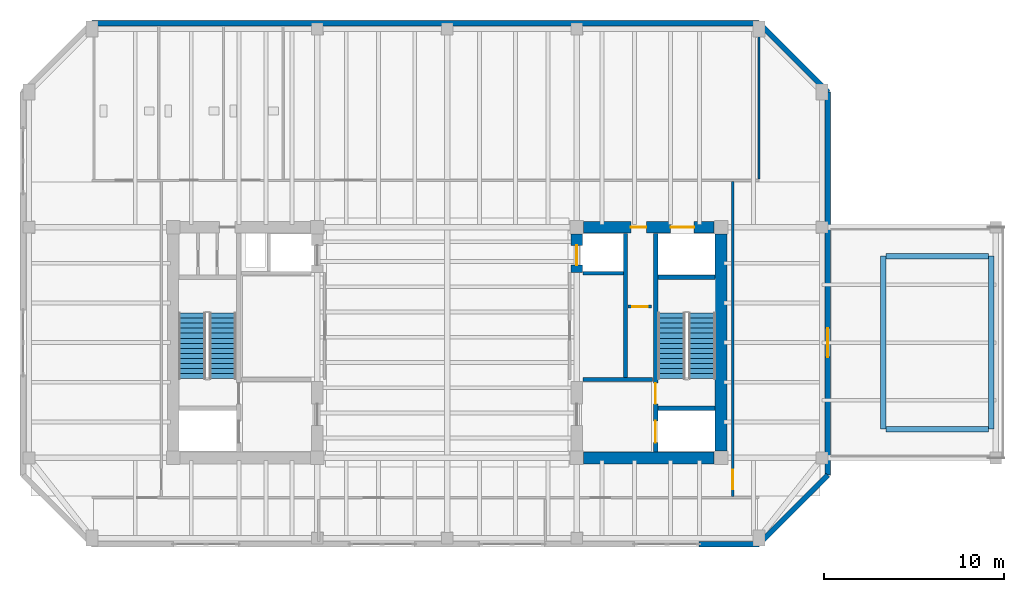
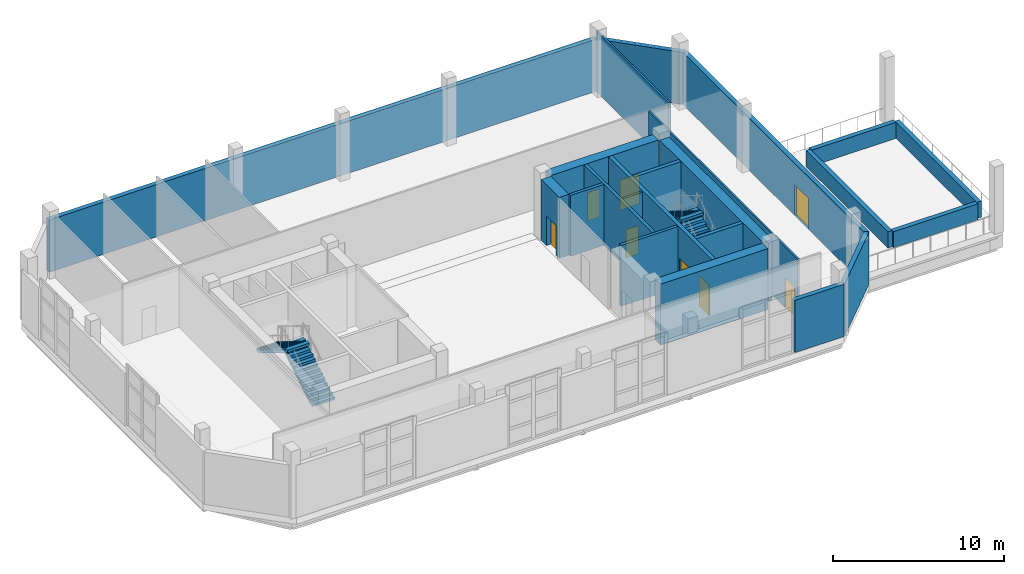
# One storey, part 7 of 11: 22 walls, 8 doors, 4 stair flights, 8 openings, 2 elements without a shape of their own.
"""IFC4 building model written with IfcOpenShell, lengths in metres."""

from ifc_helpers import new_model, si_unit, direction, frame, frame_2d, origin, place, context, subcontext, project, spatial, polyline, rectangle, outline, extrude, material, layer, layer_set, type_object, element, fill, aggregate, save


model = new_model("IFC4")

# Units and contexts
model_context = context("Model", 3, precision=1e-05, world=origin(), true_north=direction((0.0, 1.0)))
body_context = subcontext(model_context, "Body", "Model", "MODEL_VIEW")
ifc_project = project(units=[si_unit("LENGTHUNIT", "METRE"), si_unit("AREAUNIT", "SQUARE_METRE"), si_unit("VOLUMEUNIT", "CUBIC_METRE"), si_unit("PLANEANGLEUNIT", "RADIAN"), si_unit("MASSUNIT", "GRAM", prefix="KILO")], contexts=[model_context])

# Site, building, storey
site_placement = place(None, origin())
site = spatial("IfcSite", under=ifc_project, at=site_placement, CompositionType="ELEMENT")
building_placement = place(site_placement, origin())
building = spatial("IfcBuilding", under=site, at=building_placement, Name="Kranthara Brick Stack", CompositionType="ELEMENT")
storey_placement = place(building_placement, frame((0.0, 0.0, 287.39990234375)))
storey = spatial("IfcBuildingStorey", under=building, at=storey_placement, Name="L76", CompositionType="ELEMENT", Elevation=287.39990234375)

# Walls
ifc_material_1 = material(Name="Precast concrete C45/55", Category="concrete")
ifc_layer_1 = layer(ifc_material_1, 0.300048828125)
ifc_layer_set_1 = layer_set([ifc_layer_1], Name="Precast concrete C45/55")
wall_type_1 = type_object("IfcWallType", Name="WL-BRK-CRWN-300", PredefinedType="STANDARD", material=ifc_layer_set_1)
wall_1_placement = place(storey_placement, frame((45.300048828125, 16.02001953125, 0.0), z_axis=(0.0, 0.0, 1.0), x_axis=(-1.0, 0.0, 0.0)))
element("IfcWall", 1, at=wall_1_placement, inside=storey, type_object=wall_type_1, Name="L76 Exterior Brick Facade Wall SOUTH 1", PredefinedType="STANDARD", context=body_context, shape_type="SweptSolid", body=[
    extrude(rectangle(XDim=3.31201171875, YDim=0.300048828125, at=frame_2d((1.656005859375, 0.0))), origin(), (0.0, 0.0, 1.0), 3.735107421875),
])
wall_2_placement = place(storey_placement, frame((8.300048828125, 44.929931640625, 0.0), z_axis=(0.0, 0.0, 1.0), x_axis=(1.0, 0.0, 0.0)))
element("IfcWall", 2, at=wall_2_placement, inside=storey, type_object=wall_type_1, Name="L76 Exterior Brick Facade Wall NORTH 1", PredefinedType="STANDARD", context=body_context, shape_type="SweptSolid", body=[
    extrude(rectangle(XDim=37.0, YDim=0.300048828125, at=frame_2d((18.5, 0.0))), origin(), (0.0, 0.0, 1.0), 3.735107421875),
])
wall_3_placement = place(storey_placement, frame((45.300048828125, 44.929931640625, 0.0), z_axis=(0.0, 0.0, 1.0), x_axis=(0.707106781187, -0.707106781187, 0.0)))
element("IfcWall", 3, at=wall_3_placement, inside=storey, type_object=wall_type_1, Name="L76 Exterior Brick Facade Wall NE 1", PredefinedType="STANDARD", context=body_context, shape_type="SweptSolid", body=[
    extrude(rectangle(XDim=5.416259765625, YDim=0.300048828125, at=frame_2d((2.7080078125, 0.0))), origin(), (0.0, 0.0, 1.0), 3.735107421875),
])

# Wall, opening, door
wall_4_placement = place(storey_placement, frame((49.1298828125, 41.10009765625, 0.0), z_axis=(0.0, 0.0, 1.0), x_axis=(0.0, -1.0, 0.0)))
wall_4 = element("IfcWall", 4, at=wall_4_placement, inside=storey, type_object=wall_type_1, Name="L76 Exterior Brick Facade Wall EAST 1", PredefinedType="STANDARD", context=body_context, shape_type="SweptSolid", body=[
    extrude(rectangle(XDim=21.25, YDim=0.300048828125, at=frame_2d((10.625, 0.0))), origin(), (0.0, 0.0, 1.0), 3.735107421875),
])
opening_1_placement = place(wall_4_placement, frame((13.10009765625, 0.0, 0.0)))
opening_1 = element("IfcOpeningElement", 5, at=opening_1_placement, cuts=wall_4, Name="Opening D04", PredefinedType="OPENING", context=body_context, shape_type="SweptSolid", body=[
    extrude(rectangle(XDim=1.60009765625, YDim=2.199951171875, at=frame_2d((0.800048828125, 1.10009765625))), frame((0.0, 0.159912109375, 0.0), z_axis=(0.0, -1.0, 0.0), x_axis=(1.0, 0.0, 0.0)), (0.0, 0.0, 1.0), 0.320068359375),
])
ifc_material_2 = material(Name="Bronze anodised aluminium and laminated glass", Category="aluminium")
door_type_1 = type_object("IfcDoorType", Name="DR-POOL-1600", OperationType="DOUBLE_DOOR_SINGLE_SWING", PredefinedType="DOOR", material=ifc_material_2)
door_1_placement = place(opening_1_placement, origin())
door_1 = element("IfcDoor", 6, at=door_1_placement, inside=storey, type_object=door_type_1, Name="L76 Sky Pool Terrace Access Door", OperationType="DOUBLE_DOOR_SINGLE_SWING", OverallHeight=2.199951171875, OverallWidth=1.60009765625, PredefinedType="DOOR", context=body_context, shape_type="SweptSolid", body=[
    extrude(rectangle(XDim=1.60009765625, YDim=2.199951171875, at=frame_2d((0.800048828125, 1.10009765625))), frame((0.0, 0.02490234375, 0.0), z_axis=(0.0, -1.0, 0.0), x_axis=(1.0, 0.0, 0.0)), (0.0, 0.0, 1.0), 0.050048828125),
])
fill(opening_1, door_1)

# Wall
wall_5_placement = place(storey_placement, frame((49.1298828125, 19.85009765625, 0.0), z_axis=(0.0, 0.0, 1.0), x_axis=(-0.707084243559, -0.707129318095, 0.0)))
element("IfcWall", 7, at=wall_5_placement, inside=storey, type_object=wall_type_1, Name="L76 Exterior Brick Facade Wall SE 1", PredefinedType="STANDARD", context=body_context, shape_type="SweptSolid", body=[
    extrude(rectangle(XDim=5.416259765625, YDim=0.300048828125, at=frame_2d((2.7080078125, 0.0))), origin(), (0.0, 0.0, 1.0), 3.735107421875),
])

# Wall, openings, doors
ifc_material_3 = material(Name="Concrete C50/60", Category="concrete")
ifc_layer_2 = layer(ifc_material_3, 0.25)
ifc_layer_set_2 = layer_set([ifc_layer_2], Name="Concrete C50/60")
wall_type_2 = type_object("IfcWallType", Name="WL-CORE-250", PredefinedType="SHEAR", material=ifc_layer_set_2)
wall_6_placement = place(storey_placement, frame((39.56494140625, 21.135009765625, 0.0), z_axis=(0.0, 0.0, 1.0), x_axis=(0.0, 1.0, 0.0)))
wall_6 = element("IfcWall", 8, at=wall_6_placement, inside=storey, type_object=wall_type_2, Name="L76 East Core Stair Bearing Spine Wall", PredefinedType="SHEAR", context=body_context, shape_type="SweptSolid", body=[
    extrude(rectangle(XDim=12.1298828125, YDim=0.25, at=frame_2d((6.06494140625, 0.0))), origin(), (0.0, 0.0, 1.0), 4.35009765625),
])
opening_2_placement = place(wall_6_placement, frame((0.514892578125, 0.0, 0.0)))
opening_2 = element("IfcOpeningElement", 9, at=opening_2_placement, cuts=wall_6, Name="Opening LD01", PredefinedType="OPENING", context=body_context, shape_type="SweptSolid", body=[
    extrude(rectangle(XDim=1.199951171875, YDim=2.14990234375, at=frame_2d((0.60009765625, 1.074951171875))), frame((0.0, 0.135009765625, 0.0), z_axis=(0.0, -1.0, 0.0), x_axis=(1.0, 0.0, 0.0)), (0.0, 0.0, 1.0), 0.27001953125),
])
opening_3_placement = place(wall_6_placement, frame((2.6650390625, 0.0, 0.0)))
opening_3 = element("IfcOpeningElement", 10, at=opening_3_placement, cuts=wall_6, Name="Opening D05", PredefinedType="OPENING", context=body_context, shape_type="SweptSolid", body=[
    extrude(rectangle(XDim=1.14990234375, YDim=2.14990234375, at=frame_2d((0.574951171875, 1.074951171875))), frame((0.0, 0.135009765625, 0.0), z_axis=(0.0, -1.0, 0.0), x_axis=(1.0, 0.0, 0.0)), (0.0, 0.0, 1.0), 0.27001953125),
])
ifc_material_4 = material(Name="Stainless steel sliding landing door", Category="steel")
door_type_2 = type_object("IfcDoorType", Name="DR-LD-FF1200", OperationType="DOUBLE_DOOR_SLIDING", PredefinedType="DOOR", material=ifc_material_4)
door_2_placement = place(opening_2_placement, origin())
door_2 = element("IfcDoor", 11, at=door_2_placement, inside=storey, type_object=door_type_2, Name="L76 Firefighting Lift FF-02 Landing Door", OperationType="DOUBLE_DOOR_SLIDING", OverallHeight=2.14990234375, OverallWidth=1.199951171875, PredefinedType="DOOR", context=body_context, shape_type="SweptSolid", body=[
    extrude(rectangle(XDim=1.199951171875, YDim=2.14990234375, at=frame_2d((0.60009765625, 1.074951171875))), frame((0.0, 0.02490234375, 0.0), z_axis=(0.0, -1.0, 0.0), x_axis=(1.0, 0.0, 0.0)), (0.0, 0.0, 1.0), 0.050048828125),
])
fill(opening_2, door_2)
ifc_material_5 = material(Name="Solid-core hardwood timber leaf in steel frame", Category="steel")
door_type_3 = type_object("IfcDoorType", Name="DR-ST-1150", OperationType="NOTDEFINED", PredefinedType="DOOR", material=ifc_material_5)
door_3_placement = place(opening_3_placement, origin())
door_3 = element("IfcDoor", 12, at=door_3_placement, inside=storey, type_object=door_type_3, Name="L76 Exit Stair ST02 Door", OperationType="SINGLE_SWING_LEFT", OverallHeight=2.14990234375, OverallWidth=1.14990234375, PredefinedType="DOOR", context=body_context, shape_type="SweptSolid", body=[
    extrude(rectangle(XDim=1.14990234375, YDim=2.14990234375, at=frame_2d((0.574951171875, 1.074951171875))), frame((0.0, 0.02490234375, 0.0), z_axis=(0.0, -1.0, 0.0), x_axis=(1.0, 0.0, 0.0)), (0.0, 0.0, 1.0), 0.050048828125),
])
fill(opening_3, door_3)

# Walls
for number, where, z_axis, x_axis, name in (
    (13, (39.68994140625, 23.570068359375, 0.0), (0.0, 0.0, 1.0), (1.0, 0.0, 0.0), "L76 East Stairwell Bearing Wall EFF"),
    (14, (39.68994140625, 30.830078125, 0.0), (0.0, 0.0, 1.0), (1.0, 0.0, 0.0), "L76 East Stairwell Bearing Wall EST"),
):
    element("IfcWall", number, at=place(storey_placement, frame(where, z_axis=z_axis, x_axis=x_axis)), inside=storey, type_object=wall_type_2, Name=name, PredefinedType="SHEAR", context=body_context, shape_type="SweptSolid", body=[
        extrude(rectangle(XDim=3.175048828125, YDim=0.25, at=frame_2d((1.58740234375, 0.0))), origin(), (0.0, 0.0, 1.0), 4.35009765625),
    ])
ifc_material_6 = material(Name="Concrete C60/75", Category="concrete")
ifc_layer_3 = layer(ifc_material_6, 0.64990234375)
ifc_layer_set_3 = layer_set([ifc_layer_3], Name="Concrete C60/75")
wall_type_3 = type_object("IfcWallType", Name="WL-CORE-650", PredefinedType="SHEAR", material=ifc_layer_set_3)
wall_7_placement = place(storey_placement, frame((43.199951171875, 21.179931640625, 0.0), z_axis=(0.0, 0.0, 1.0), x_axis=(0.0, 1.0, 0.0)))
element("IfcWall", 15, at=wall_7_placement, inside=storey, type_object=wall_type_3, Name="L76 East Core Shear Wall East", PredefinedType="SHEAR", context=body_context, shape_type="SweptSolid", body=[
    extrude(rectangle(XDim=12.0400390625, YDim=0.64990234375, at=frame_2d((6.02001953125, 0.0))), origin(), (0.0, 0.0, 1.0), 4.35009765625),
])
wall_8_placement = place(storey_placement, frame((35.580078125, 20.800048828125, 0.0), z_axis=(0.0, 0.0, 1.0), x_axis=(1.0, 0.0, 0.0)))
element("IfcWall", 16, at=wall_8_placement, inside=storey, type_object=wall_type_3, Name="L76 East Core Shear Wall South", PredefinedType="SHEAR", context=body_context, shape_type="SweptSolid", body=[
    extrude(rectangle(XDim=7.239990234375, YDim=0.64990234375, at=frame_2d((3.6201171875, 0.0))), origin(), (0.0, 0.0, 1.0), 4.35009765625),
])

# Wall, openings, doors
wall_9_placement = place(storey_placement, frame((35.580078125, 33.60009765625, 0.0), z_axis=(0.0, 0.0, 1.0), x_axis=(1.0, 0.0, 0.0)))
wall_9 = element("IfcWall", 17, at=wall_9_placement, inside=storey, type_object=wall_type_3, Name="L76 East Core Shear Wall North", PredefinedType="SHEAR", context=body_context, shape_type="SweptSolid", body=[
    extrude(rectangle(XDim=7.239990234375, YDim=0.64990234375, at=frame_2d((3.6201171875, 0.0))), origin(), (0.0, 0.0, 1.0), 4.35009765625),
])
opening_4_placement = place(wall_9_placement, frame((4.820068359375, 0.0, 0.0)))
opening_4 = element("IfcOpeningElement", 18, at=opening_4_placement, cuts=wall_9, Name="Opening LD03", PredefinedType="OPENING", context=body_context, shape_type="SweptSolid", body=[
    extrude(rectangle(XDim=1.300048828125, YDim=2.14990234375, at=frame_2d((0.64990234375, 1.074951171875))), frame((0.0, 0.3349609375, 0.0), z_axis=(0.0, -1.0, 0.0), x_axis=(1.0, 0.0, 0.0)), (0.0, 0.0, 1.0), 0.669921875),
])
opening_5_placement = place(wall_9_placement, frame((2.6201171875, 0.0, 0.0)))
opening_5 = element("IfcOpeningElement", 19, at=opening_5_placement, cuts=wall_9, Name="Opening D10", PredefinedType="OPENING", context=body_context, shape_type="SweptSolid", body=[
    extrude(rectangle(XDim=0.85009765625, YDim=2.02001953125, at=frame_2d((0.425048828125, 1.010009765625))), frame((0.0, 0.3349609375, 0.0), z_axis=(0.0, -1.0, 0.0), x_axis=(1.0, 0.0, 0.0)), (0.0, 0.0, 1.0), 0.669921875),
])
ifc_material_7 = material(Name="Stainless steel sliding landing door", Category="steel")
door_type_4 = type_object("IfcDoorType", Name="DR-LD-SV1300", OperationType="DOUBLE_DOOR_SLIDING", PredefinedType="DOOR", material=ifc_material_7)
door_4_placement = place(opening_4_placement, origin())
door_4 = element("IfcDoor", 20, at=door_4_placement, inside=storey, type_object=door_type_4, Name="L76 Stretcher Service Lift SV-01 Landing Door", OperationType="DOUBLE_DOOR_SLIDING", OverallHeight=2.14990234375, OverallWidth=1.300048828125, PredefinedType="DOOR", context=body_context, shape_type="SweptSolid", body=[
    extrude(rectangle(XDim=1.300048828125, YDim=2.14990234375, at=frame_2d((0.64990234375, 1.074951171875))), frame((0.0, 0.02490234375, 0.0), z_axis=(0.0, -1.0, 0.0), x_axis=(1.0, 0.0, 0.0)), (0.0, 0.0, 1.0), 0.050048828125),
])
fill(opening_4, door_4)
ifc_material_8 = material(Name="Solid-core hardwood timber leaf in steel frame", Category="steel")
door_type_5 = type_object("IfcDoorType", Name="DR-RSR-850", OperationType="NOTDEFINED", PredefinedType="DOOR", material=ifc_material_8)
door_5_placement = place(opening_5_placement, origin())
door_5 = element("IfcDoor", 21, at=door_5_placement, inside=storey, type_object=door_type_5, Name="L76 East Core Service Room Door", OperationType="SINGLE_SWING_LEFT", OverallHeight=2.02001953125, OverallWidth=0.85009765625, PredefinedType="DOOR", context=body_context, shape_type="SweptSolid", body=[
    extrude(rectangle(XDim=0.85009765625, YDim=2.02001953125, at=frame_2d((0.425048828125, 1.010009765625))), frame((0.0, 0.02490234375, 0.0), z_axis=(0.0, -1.0, 0.0), x_axis=(1.0, 0.0, 0.0)), (0.0, 0.0, 1.0), 0.050048828125),
])
fill(opening_5, door_5)

# Wall, opening, door
wall_10_placement = place(storey_placement, frame((35.199951171875, 31.10009765625, 0.0), z_axis=(0.0, 0.0, 1.0), x_axis=(0.0, 1.0, 0.0)))
wall_10 = element("IfcWall", 22, at=wall_10_placement, inside=storey, type_object=wall_type_3, Name="L76 East Core High-Rise Lift Wall", PredefinedType="SHEAR", context=body_context, shape_type="SweptSolid", body=[
    extrude(rectangle(XDim=2.119873046875, YDim=0.64990234375, at=frame_2d((1.06005859375, 0.0))), origin(), (0.0, 0.0, 1.0), 4.35009765625),
])
opening_6_placement = place(wall_10_placement, frame((0.39990234375, 0.0, 0.0)))
opening_6 = element("IfcOpeningElement", 23, at=opening_6_placement, cuts=wall_10, Name="Opening LD02", PredefinedType="OPENING", context=body_context, shape_type="SweptSolid", body=[
    extrude(rectangle(XDim=1.10009765625, YDim=2.10009765625, at=frame_2d((0.550048828125, 1.050048828125))), frame((0.0, 0.3349609375, 0.0), z_axis=(0.0, -1.0, 0.0), x_axis=(1.0, 0.0, 0.0)), (0.0, 0.0, 1.0), 0.669921875),
])
ifc_material_9 = material(Name="Stainless steel sliding landing door", Category="steel")
door_type_6 = type_object("IfcDoorType", Name="DR-LD-PL1100", OperationType="DOUBLE_DOOR_SLIDING", PredefinedType="DOOR", material=ifc_material_9)
door_6_placement = place(opening_6_placement, origin())
door_6 = element("IfcDoor", 24, at=door_6_placement, inside=storey, type_object=door_type_6, Name="L76 PL-08 Lift Landing Door", OperationType="DOUBLE_DOOR_SLIDING", OverallHeight=2.10009765625, OverallWidth=1.10009765625, PredefinedType="DOOR", context=body_context, shape_type="SweptSolid", body=[
    extrude(rectangle(XDim=1.10009765625, YDim=2.10009765625, at=frame_2d((0.550048828125, 1.050048828125))), frame((0.0, 0.02490234375, 0.0), z_axis=(0.0, -1.0, 0.0), x_axis=(1.0, 0.0, 0.0)), (0.0, 0.0, 1.0), 0.050048828125),
])
fill(opening_6, door_6)

# Wall
ifc_material_10 = material(Name="Acoustic gypsum plasterboard partition", Category="other")
ifc_layer_4 = layer(ifc_material_10, 0.1201171875)
ifc_layer_set_4 = layer_set([ifc_layer_4], Name="Acoustic gypsum plasterboard partition")
wall_type_4 = type_object("IfcWallType", Name="WL-PART-120", PredefinedType="PARTITIONING", material=ifc_layer_set_4)
wall_11_placement = place(storey_placement, frame((45.300048828125, 36.264892578125, 0.0), z_axis=(0.0, 0.0, 1.0), x_axis=(0.0, 1.0, 0.0)))
element("IfcWall", 25, at=wall_11_placement, inside=storey, type_object=wall_type_4, Name="L76 Interior Partition 014", PredefinedType="PARTITIONING", context=body_context, shape_type="SweptSolid", body=[
    extrude(rectangle(XDim=8.510009765625, YDim=0.1201171875, at=frame_2d((4.2548828125, 0.0))), origin(), (0.0, 0.0, 1.0), 4.35009765625),
])

# Wall, opening, door
wall_12_placement = place(storey_placement, frame((43.85009765625, 18.6650390625, 0.0), z_axis=(0.0, 0.0, 1.0), x_axis=(0.0, 1.0, 0.0)))
wall_12 = element("IfcWall", 26, at=wall_12_placement, inside=storey, type_object=wall_type_4, Name="L76 Interior Partition 016", PredefinedType="PARTITIONING", context=body_context, shape_type="SweptSolid", body=[
    extrude(rectangle(XDim=17.469970703125, YDim=0.1201171875, at=frame_2d((8.73486328125, 0.0))), origin(), (0.0, 0.0, 1.0), 4.35009765625),
])
opening_7_placement = place(wall_12_placement, frame((0.385009765625, 0.0, 0.0)))
opening_7 = element("IfcOpeningElement", 27, at=opening_7_placement, cuts=wall_12, Name="Opening D11", PredefinedType="OPENING", context=body_context, shape_type="SweptSolid", body=[
    extrude(rectangle(XDim=1.10009765625, YDim=2.14990234375, at=frame_2d((0.550048828125, 1.074951171875))), frame((0.0, 0.070068359375, 0.0), z_axis=(0.0, -1.0, 0.0), x_axis=(1.0, 0.0, 0.0)), (0.0, 0.0, 1.0), 0.14013671875),
])
ifc_material_11 = material(Name="Solid-core hardwood timber leaf in steel frame", Category="steel")
door_type_7 = type_object("IfcDoorType", Name="DR-INT-1100", OperationType="NOTDEFINED", PredefinedType="DOOR", material=ifc_material_11)
door_7_placement = place(opening_7_placement, origin())
door_7 = element("IfcDoor", 28, at=door_7_placement, inside=storey, type_object=door_type_7, Name="L76 East Sky Club Door 14", OperationType="SINGLE_SWING_RIGHT", OverallHeight=2.14990234375, OverallWidth=1.10009765625, PredefinedType="DOOR", context=body_context, shape_type="SweptSolid", body=[
    extrude(rectangle(XDim=1.10009765625, YDim=2.14990234375, at=frame_2d((0.550048828125, 1.074951171875))), frame((0.0, 0.02490234375, 0.0), z_axis=(0.0, -1.0, 0.0), x_axis=(1.0, 0.0, 0.0)), (0.0, 0.0, 1.0), 0.050048828125),
])
fill(opening_7, door_7)

ifc_material_12 = material(Name="Fire-rated gypsum board partition", Category="other")
ifc_layer_5 = layer(ifc_material_12, 0.14990234375)
ifc_layer_set_5 = layer_set([ifc_layer_5], Name="Fire-rated gypsum board partition")
wall_type_5 = type_object("IfcWallType", Name="WL-PART-150", PredefinedType="PARTITIONING", material=ifc_layer_set_5)
wall_13_placement = place(storey_placement, frame((38.050048828125, 29.199951171875, 0.0), z_axis=(0.0, 0.0, 1.0), x_axis=(1.0, 0.0, 0.0)))
wall_13 = element("IfcWall", 29, at=wall_13_placement, inside=storey, type_object=wall_type_5, Name="L76 Interior Partition 003", PredefinedType="PARTITIONING", context=body_context, shape_type="SweptSolid", body=[
    extrude(rectangle(XDim=1.300048828125, YDim=0.14990234375, at=frame_2d((0.64990234375, 0.0))), origin(), (0.0, 0.0, 1.0), 4.35009765625),
])
opening_8_placement = place(wall_13_placement, frame((0.219970703125, 0.0, 0.0)))
opening_8 = element("IfcOpeningElement", 30, at=opening_8_placement, cuts=wall_13, Name="Opening D10", PredefinedType="OPENING", context=body_context, shape_type="SweptSolid", body=[
    extrude(rectangle(XDim=0.85009765625, YDim=2.02001953125, at=frame_2d((0.425048828125, 1.010009765625))), frame((0.0, 0.0849609375, 0.0), z_axis=(0.0, -1.0, 0.0), x_axis=(1.0, 0.0, 0.0)), (0.0, 0.0, 1.0), 0.169921875),
])
door_8_placement = place(opening_8_placement, origin())
door_8 = element("IfcDoor", 31, at=door_8_placement, inside=storey, type_object=door_type_5, Name="L76 East Service Door 03", OperationType="SINGLE_SWING_LEFT", OverallHeight=2.02001953125, OverallWidth=0.85009765625, PredefinedType="DOOR", context=body_context, shape_type="SweptSolid", body=[
    extrude(rectangle(XDim=0.85009765625, YDim=2.02001953125, at=frame_2d((0.425048828125, 1.010009765625))), frame((0.0, 0.02490234375, 0.0), z_axis=(0.0, -1.0, 0.0), x_axis=(1.0, 0.0, 0.0)), (0.0, 0.0, 1.0), 0.050048828125),
])
fill(opening_8, door_8)

# Walls
ifc_material_13 = material(Name="Concrete C40/50", Category="concrete")
ifc_layer_6 = layer(ifc_material_13, 0.199951171875)
ifc_layer_set_6 = layer_set([ifc_layer_6], Name="Concrete C40/50")
wall_type_6 = type_object("IfcWallType", Name="WL-PART-200", PredefinedType="SOLIDWALL", material=ifc_layer_set_6)
wall_14_placement = place(storey_placement, frame((35.550048828125, 25.14990234375, 0.0), z_axis=(0.0, 0.0, 1.0), x_axis=(1.0, 0.0, 0.0)))
element("IfcWall", 32, at=wall_14_placement, inside=storey, type_object=wall_type_6, Name="L76 East Core Cross Wall EFL", PredefinedType="SOLIDWALL", context=body_context, shape_type="SweptSolid", body=[
    extrude(rectangle(XDim=3.849853515625, YDim=0.199951171875, at=frame_2d((1.9248046875, 0.0))), origin(), (0.0, 0.0, 1.0), 4.35009765625),
])
wall_15_placement = place(storey_placement, frame((35.550048828125, 31.050048828125, 0.0), z_axis=(0.0, 0.0, 1.0), x_axis=(1.0, 0.0, 0.0)))
element("IfcWall", 33, at=wall_15_placement, inside=storey, type_object=wall_type_6, Name="L76 East Core Cross Wall EE4", PredefinedType="SOLIDWALL", context=body_context, shape_type="SweptSolid", body=[
    extrude(rectangle(XDim=2.25, YDim=0.199951171875, at=frame_2d((1.125, 0.0))), origin(), (0.0, 0.0, 1.0), 4.35009765625),
])
wall_16_placement = place(storey_placement, frame((37.89990234375, 25.27001953125, 0.0), z_axis=(0.0, 0.0, 1.0), x_axis=(0.0, 1.0, 0.0)))
element("IfcWall", 34, at=wall_16_placement, inside=storey, type_object=wall_type_6, Name="L76 East Core Cross Wall ESV", PredefinedType="SOLIDWALL", context=body_context, shape_type="SweptSolid", body=[
    extrude(rectangle(XDim=7.994873046875, YDim=0.199951171875, at=frame_2d((3.99755859375, 0.0))), origin(), (0.0, 0.0, 1.0), 4.35009765625),
])
ifc_material_14 = material(Name="Concrete C50/60", Category="concrete")
ifc_layer_7 = layer(ifc_material_14, 0.300048828125)
ifc_layer_set_7 = layer_set([ifc_layer_7], Name="Concrete C50/60")
wall_type_7 = type_object("IfcWallType", Name="WL-POOL-300", PredefinedType="SHEAR", material=ifc_layer_set_7)
for number, where, z_axis, x_axis, name in (
    (35, (52.199951171875, 22.39990234375, 0.0), (0.0, 0.0, 1.0), (0.0, 1.0, 0.0), "L76 Sky Pool Basin Wall W"),
    (36, (58.199951171875, 22.39990234375, 0.0), (0.0, 0.0, 1.0), (0.0, 1.0, 0.0), "L76 Sky Pool Basin Wall E"),
):
    element("IfcWall", number, at=place(storey_placement, frame(where, z_axis=z_axis, x_axis=x_axis)), inside=storey, type_object=wall_type_7, Name=name, PredefinedType="SHEAR", context=body_context, shape_type="SweptSolid", body=[
        extrude(rectangle(XDim=9.60009765625, YDim=0.300048828125, at=frame_2d((4.800048828125, 0.0))), origin(), (0.0, 0.0, 1.0), 1.150146484375),
    ])
for number, where, z_axis, x_axis, name in (
    (37, (52.35009765625, 22.39990234375, 0.0), (0.0, 0.0, 1.0), (1.0, 0.0, 0.0), "L76 Sky Pool Basin Wall S"),
    (38, (52.35009765625, 32.0, 0.0), (0.0, 0.0, 1.0), (1.0, 0.0, 0.0), "L76 Sky Pool Basin Wall N"),
):
    element("IfcWall", number, at=place(storey_placement, frame(where, z_axis=z_axis, x_axis=x_axis)), inside=storey, type_object=wall_type_7, Name=name, PredefinedType="SHEAR", context=body_context, shape_type="SweptSolid", body=[
        extrude(rectangle(XDim=5.699951171875, YDim=0.300048828125, at=frame_2d((2.85009765625, 0.0))), origin(), (0.0, 0.0, 1.0), 1.150146484375),
    ])

# Stair, stair flights
ifc_material_15 = material(Name="Concrete C45/55", Category="concrete")
stair_type = type_object("IfcStairType", Name="ST-CORE-28R", PredefinedType="HALF_TURN_STAIR", material=ifc_material_15)
stair_1_placement = place(storey_placement, origin())
stair_1 = element("IfcStair", 39, at=stair_1_placement, inside=storey, type_object=stair_type, Name="L76 West Core Protected Exit Stair ST01", PredefinedType="HALF_TURN_STAIR")
ifc_material_16 = material(Name="Concrete C45/55", Category="concrete")
stair_flight_type = type_object("IfcStairFlightType", Name="SFL-RC-28R", PredefinedType="STRAIGHT", material=ifc_material_16)
stair_flight_1_placement = place(storey_placement, frame((15.550048828125, 25.199951171875, 0.0), z_axis=(0.0, 0.0, 1.0), x_axis=(0.0, 1.0, 0.0)))
stair_flight_1 = element("IfcStairFlight", 40, at=stair_flight_1_placement, type_object=stair_flight_type, Name="ST01 flight 1", NumberOfRisers=14, NumberOfTreads=13, PredefinedType="STRAIGHT", RiserHeight=0.171428571, TreadLength=0.28, context=body_context, shape_type="SweptSolid", body=[
    extrude(outline(polyline([(0.0, 0.0), (0.0, 0.17138671875), (0.280029296875, 0.17138671875), (0.280029296875, 0.3427734375), (0.56005859375, 0.3427734375), (0.56005859375, 0.514404296875), (0.840087890625, 0.514404296875), (0.840087890625, 0.685791015625), (1.1201171875, 0.685791015625), (1.1201171875, 0.857177734375), (1.39990234375, 0.857177734375), (1.39990234375, 1.028564453125), (1.679931640625, 1.028564453125), (1.679931640625, 1.199951171875), (1.9599609375, 1.199951171875), (1.9599609375, 1.371337890625), (2.239990234375, 1.371337890625), (2.239990234375, 1.54296875), (2.52001953125, 1.54296875), (2.52001953125, 1.71435546875), (2.800048828125, 1.71435546875), (2.800048828125, 1.8857421875), (3.080078125, 1.8857421875), (3.080078125, 2.05712890625), (3.360107421875, 2.05712890625), (3.360107421875, 2.228515625), (3.639892578125, 2.228515625), (3.639892578125, 2.39990234375), (3.639892578125, 2.052734375), (0.287109375, 0.0), (0.0, 0.0)])), frame((0.0, 0.75, 0.0), z_axis=(0.0, -1.0, 0.0), x_axis=(1.0, 0.0, 0.0)), (0.0, 0.0, 1.0), 1.5),
])
stair_flight_2_placement = place(storey_placement, frame((13.85009765625, 28.840087890625, 2.400146484375), z_axis=(0.0, 0.0, 1.0), x_axis=(0.0, -1.0, 0.0)))
stair_flight_2 = element("IfcStairFlight", 41, at=stair_flight_2_placement, type_object=stair_flight_type, Name="ST01 flight 2", NumberOfRisers=14, NumberOfTreads=13, PredefinedType="STRAIGHT", RiserHeight=0.171428571, TreadLength=0.28, context=body_context, shape_type="SweptSolid", body=[
    extrude(outline(polyline([(0.0, 0.0), (0.0, 0.17138671875), (0.280029296875, 0.17138671875), (0.280029296875, 0.3427734375), (0.56005859375, 0.3427734375), (0.56005859375, 0.514404296875), (0.840087890625, 0.514404296875), (0.840087890625, 0.685791015625), (1.1201171875, 0.685791015625), (1.1201171875, 0.857177734375), (1.39990234375, 0.857177734375), (1.39990234375, 1.028564453125), (1.679931640625, 1.028564453125), (1.679931640625, 1.199951171875), (1.9599609375, 1.199951171875), (1.9599609375, 1.371337890625), (2.239990234375, 1.371337890625), (2.239990234375, 1.54296875), (2.52001953125, 1.54296875), (2.52001953125, 1.71435546875), (2.800048828125, 1.71435546875), (2.800048828125, 1.8857421875), (3.080078125, 1.8857421875), (3.080078125, 2.05712890625), (3.360107421875, 2.05712890625), (3.360107421875, 2.228515625), (3.639892578125, 2.228515625), (3.639892578125, 2.39990234375), (3.639892578125, 2.052734375), (0.287109375, 0.0), (0.0, 0.0)])), frame((0.0, 0.75, 0.0), z_axis=(0.0, -1.0, 0.0), x_axis=(1.0, 0.0, 0.0)), (0.0, 0.0, 1.0), 1.5),
])
aggregate(stair_1, [stair_flight_1, stair_flight_2])

stair_2_placement = place(storey_placement, origin())
stair_2 = element("IfcStair", 42, at=stair_2_placement, inside=storey, type_object=stair_type, Name="L76 East Core Protected Exit Stair ST02", PredefinedType="HALF_TURN_STAIR")
stair_flight_3_placement = place(storey_placement, frame((42.14990234375, 25.199951171875, 0.0), z_axis=(0.0, 0.0, 1.0), x_axis=(0.0, 1.0, 0.0)))
stair_flight_3 = element("IfcStairFlight", 43, at=stair_flight_3_placement, type_object=stair_flight_type, Name="ST02 flight 1", NumberOfRisers=14, NumberOfTreads=13, PredefinedType="STRAIGHT", RiserHeight=0.171428571, TreadLength=0.28, context=body_context, shape_type="SweptSolid", body=[
    extrude(outline(polyline([(0.0, 0.0), (0.0, 0.17138671875), (0.280029296875, 0.17138671875), (0.280029296875, 0.3427734375), (0.56005859375, 0.3427734375), (0.56005859375, 0.514404296875), (0.840087890625, 0.514404296875), (0.840087890625, 0.685791015625), (1.1201171875, 0.685791015625), (1.1201171875, 0.857177734375), (1.39990234375, 0.857177734375), (1.39990234375, 1.028564453125), (1.679931640625, 1.028564453125), (1.679931640625, 1.199951171875), (1.9599609375, 1.199951171875), (1.9599609375, 1.371337890625), (2.239990234375, 1.371337890625), (2.239990234375, 1.54296875), (2.52001953125, 1.54296875), (2.52001953125, 1.71435546875), (2.800048828125, 1.71435546875), (2.800048828125, 1.8857421875), (3.080078125, 1.8857421875), (3.080078125, 2.05712890625), (3.360107421875, 2.05712890625), (3.360107421875, 2.228515625), (3.639892578125, 2.228515625), (3.639892578125, 2.39990234375), (3.639892578125, 2.052734375), (0.287109375, 0.0), (0.0, 0.0)])), frame((0.0, 0.75, 0.0), z_axis=(0.0, -1.0, 0.0), x_axis=(1.0, 0.0, 0.0)), (0.0, 0.0, 1.0), 1.5),
])
stair_flight_4_placement = place(storey_placement, frame((40.449951171875, 28.840087890625, 2.400146484375), z_axis=(0.0, 0.0, 1.0), x_axis=(0.0, -1.0, 0.0)))
stair_flight_4 = element("IfcStairFlight", 44, at=stair_flight_4_placement, type_object=stair_flight_type, Name="ST02 flight 2", NumberOfRisers=14, NumberOfTreads=13, PredefinedType="STRAIGHT", RiserHeight=0.171428571, TreadLength=0.28, context=body_context, shape_type="SweptSolid", body=[
    extrude(outline(polyline([(0.0, 0.0), (0.0, 0.17138671875), (0.280029296875, 0.17138671875), (0.280029296875, 0.3427734375), (0.56005859375, 0.3427734375), (0.56005859375, 0.514404296875), (0.840087890625, 0.514404296875), (0.840087890625, 0.685791015625), (1.1201171875, 0.685791015625), (1.1201171875, 0.857177734375), (1.39990234375, 0.857177734375), (1.39990234375, 1.028564453125), (1.679931640625, 1.028564453125), (1.679931640625, 1.199951171875), (1.9599609375, 1.199951171875), (1.9599609375, 1.371337890625), (2.239990234375, 1.371337890625), (2.239990234375, 1.54296875), (2.52001953125, 1.54296875), (2.52001953125, 1.71435546875), (2.800048828125, 1.71435546875), (2.800048828125, 1.8857421875), (3.080078125, 1.8857421875), (3.080078125, 2.05712890625), (3.360107421875, 2.05712890625), (3.360107421875, 2.228515625), (3.639892578125, 2.228515625), (3.639892578125, 2.39990234375), (3.639892578125, 2.052734375), (0.287109375, 0.0), (0.0, 0.0)])), frame((0.0, 0.75, 0.0), z_axis=(0.0, -1.0, 0.0), x_axis=(1.0, 0.0, 0.0)), (0.0, 0.0, 1.0), 1.5),
])
aggregate(stair_2, [stair_flight_3, stair_flight_4])

save(model, "model.ifc")
